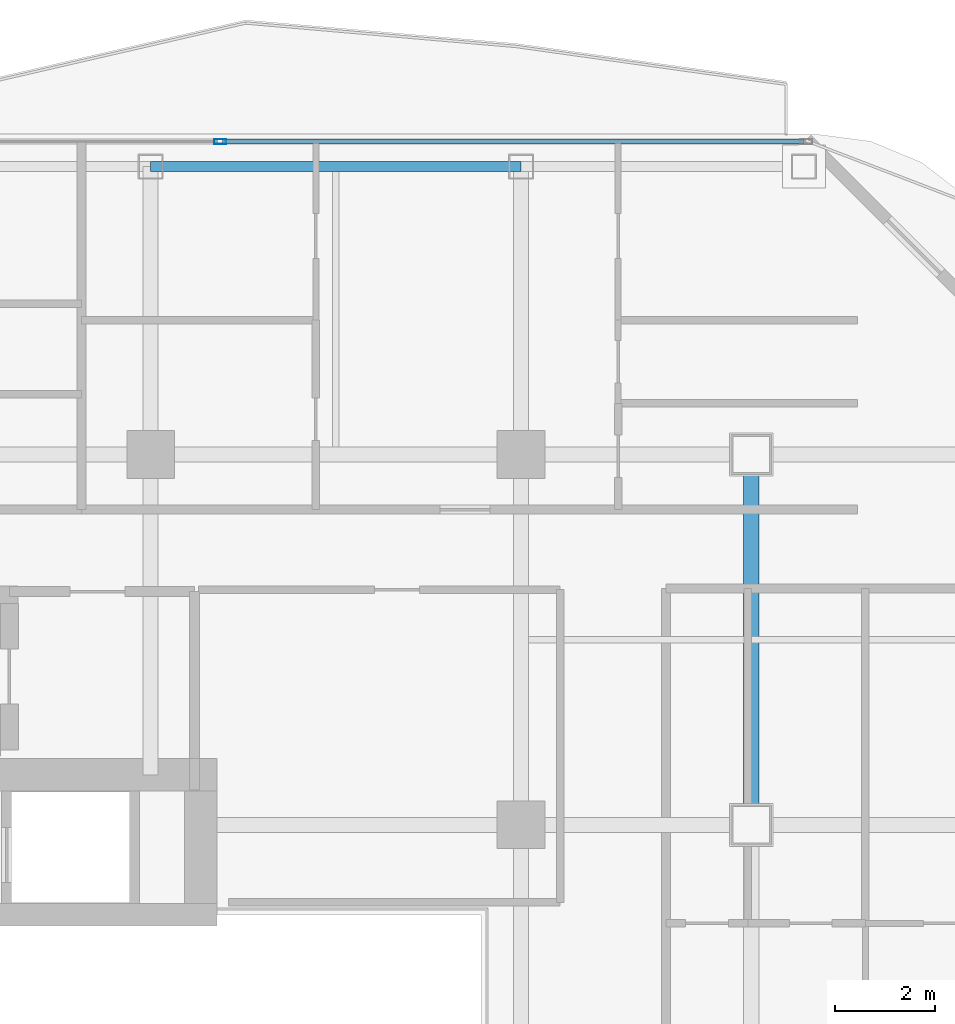
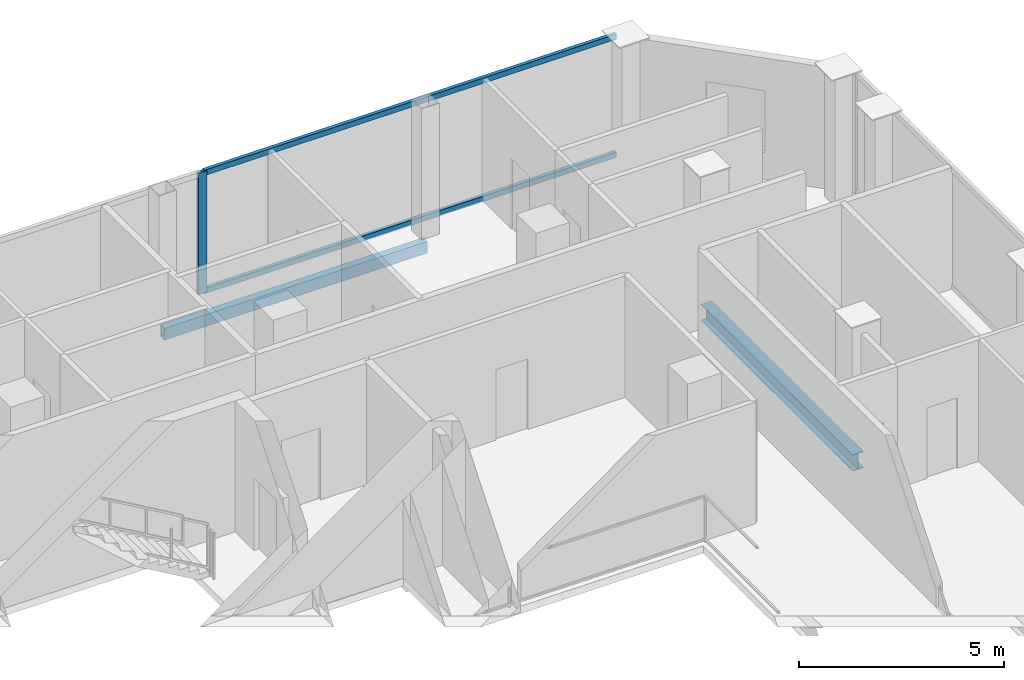
# One storey, part 13 of 22: 3 members, 2 beams, 1 element without a shape of its own.
"""IFC4 building model written with IfcOpenShell, lengths in metres."""

import ifcopenshell
import ifcopenshell.guid

model = None  # the IFC model being written
_history = None  # IfcOwnerHistory: only IFC2X3 demands one
_inside = {}  # id of a spatial element -> (the spatial element, [elements in it])
_under = {}  # id of a project, library or spatial element -> (it, [spatial elements below it])
_declared = {}  # id of a project -> (the project, [libraries it declares])
_typed = {}  # id of a type object -> (the type object, [elements of that type])
_made_of = {}  # id of a material, layer set ... -> (it, [elements and type objects made of it])


def new_model(schema):
    """Start an empty IFC model of exactly this schema.

    Asked for "IFC4X3", IfcOpenShell would pick the latest addendum, in which some entities
    have other attributes; the version numbers below select the first issue.
    IFC2X3 requires an IfcOwnerHistory on every rooted entity: one is made here for all.
    """
    global model, _history
    if schema == "IFC4X3":
        model = ifcopenshell.file(schema_version=(4, 3, 0, 0))
    else:
        model = ifcopenshell.file(schema=schema)
    _inside.clear()
    _under.clear()
    _declared.clear()
    _typed.clear()
    _made_of.clear()
    _history = None
    if model.schema == "IFC2X3":
        org = make("IfcOrganization", Name="unknown")
        user = make(
            "IfcPersonAndOrganization",
            ThePerson=make("IfcPerson", FamilyName="unknown"),
            TheOrganization=org,
        )
        app = make(
            "IfcApplication",
            ApplicationDeveloper=org,
            Version="unknown",
            ApplicationFullName="unknown",
            ApplicationIdentifier="unknown",
        )
        _history = make(
            "IfcOwnerHistory",
            OwningUser=user,
            OwningApplication=app,
            ChangeAction="ADDED",
            CreationDate=0,
        )
    return model


def make(cls, **values):
    """One entity of the class cls with the attributes given. An attribute that is None is left unset."""
    return model.create_entity(
        cls, **{name: value for name, value in values.items() if value is not None}
    )


def rooted(cls, **values):
    """An entity with a GlobalId (a new one), such as an element, a storey or a relation."""
    return make(cls, GlobalId=ifcopenshell.guid.new(), OwnerHistory=_history, **values)


def si_unit(unit_type, name, prefix=None):
    """IfcSIUnit, for example si_unit("LENGTHUNIT", "METRE", prefix="MILLI")."""
    return make("IfcSIUnit", UnitType=unit_type, Prefix=prefix, Name=name)


def assignment(units):
    """IfcUnitAssignment: the units of a project."""
    return None if units is None else make("IfcUnitAssignment", Units=units)


def point(xyz):
    """IfcCartesianPoint."""
    return None if xyz is None else make("IfcCartesianPoint", Coordinates=xyz)


def direction(xyz):
    """IfcDirection."""
    return None if xyz is None else make("IfcDirection", DirectionRatios=xyz)


def frame(location, z_axis=None, x_axis=None):
    """IfcAxis2Placement3D, a coordinate frame: its origin and axes. An axis left out is left unset."""
    return make(
        "IfcAxis2Placement3D",
        Location=point(location),
        Axis=direction(z_axis),
        RefDirection=direction(x_axis),
    )


def frame_2d(location, x_axis=None):
    """IfcAxis2Placement2D, a coordinate frame in the plane: its origin and x axis."""
    return make(
        "IfcAxis2Placement2D", Location=point(location), RefDirection=direction(x_axis)
    )


def origin():
    """The frame at (0, 0, 0) with its axes left unset."""
    return frame((0.0, 0.0, 0.0))


def origin_2d():
    """The frame at (0, 0) in the plane with its x axis left unset."""
    return frame_2d((0.0, 0.0))


def place(relative_to, where):
    """IfcLocalPlacement: puts the frame where relative to a parent placement (None: the world)."""
    return make(
        "IfcLocalPlacement", PlacementRelTo=relative_to, RelativePlacement=where
    )


def context(
    kind, dimensions, precision=None, world=None, true_north=None, identifier=None
):
    """IfcGeometricRepresentationContext, for example the 3D "Model" context."""
    return make(
        "IfcGeometricRepresentationContext",
        ContextIdentifier=identifier,
        ContextType=kind,
        CoordinateSpaceDimension=dimensions,
        Precision=precision,
        WorldCoordinateSystem=world,
        TrueNorth=true_north,
    )


def subcontext(parent, identifier, kind, view, scale=None):
    """IfcGeometricRepresentationSubContext, for example "Body" below "Model"."""
    return make(
        "IfcGeometricRepresentationSubContext",
        ContextIdentifier=identifier,
        ContextType=kind,
        ParentContext=parent,
        TargetScale=scale,
        TargetView=view,
    )


def project(units=None, contexts=None):
    """IfcProject with its units and contexts."""
    return rooted(
        "IfcProject",
        Name="project",
        RepresentationContexts=contexts,
        UnitsInContext=assignment(units),
    )


def spatial(cls, under=None, at=None, **own):
    """A site, building, storey or space (cls), placed at a placement, below another one or the project."""
    s = rooted(cls, ObjectPlacement=at, **own)
    if under is not None:
        _under.setdefault(under.id(), (under, []))[1].append(s)
    return s


def profile(cls, at=None, kind="AREA", **sizes):
    """A parametric profile (cls). Its sizes go by their IFC names, for example OverallWidth=200.0."""
    return make(cls, ProfileType=kind, Position=at, **sizes)


def hollow_rectangle(**sizes):
    """IfcRectangleHollowProfileDef."""
    return profile("IfcRectangleHollowProfileDef", **sizes)


def i_section(**sizes):
    """IfcIShapeProfileDef."""
    return profile("IfcIShapeProfileDef", **sizes)


def extrude(swept, where, along, depth):
    """IfcExtrudedAreaSolid: the profile swept, set in the frame where, extruded along a direction by depth."""
    return make(
        "IfcExtrudedAreaSolid",
        SweptArea=swept,
        Position=where,
        ExtrudedDirection=direction(along),
        Depth=depth,
    )


def shape(context_of_items, identifier, shape_type, items):
    """IfcShapeRepresentation: the items that make up one representation, for example the "Body"."""
    return make(
        "IfcShapeRepresentation",
        ContextOfItems=context_of_items,
        RepresentationIdentifier=identifier,
        RepresentationType=shape_type,
        Items=items,
    )


def material(Name=None, Category=None):
    """IfcMaterial."""
    return make("IfcMaterial", Name=Name, Category=Category)


def layer(
    of_material, thickness, ventilated=None, Name=None, Category=None, Priority=None
):
    """IfcMaterialLayer: one layer of a wall or slab, of a material (None: an air gap)."""
    return make(
        "IfcMaterialLayer",
        Material=of_material,
        LayerThickness=thickness,
        IsVentilated=ventilated,
        Name=Name,
        Category=Category,
        Priority=Priority,
    )


def layer_set(layers, Name=None):
    """IfcMaterialLayerSet."""
    return make("IfcMaterialLayerSet", MaterialLayers=layers, LayerSetName=Name)


def material_profile(
    of_material, cross_section, Name=None, Category=None, Priority=None
):
    """IfcMaterialProfile: a cross section and its material."""
    return make(
        "IfcMaterialProfile",
        Name=Name,
        Material=of_material,
        Profile=cross_section,
        Priority=Priority,
        Category=Category,
    )


def profile_set(profiles, Name=None, composite=None):
    """IfcMaterialProfileSet."""
    return make(
        "IfcMaterialProfileSet",
        Name=Name,
        MaterialProfiles=profiles,
        CompositeProfile=composite,
    )


def made_of(thing, what):
    """Note that an element or type object is made of a material, layer set ...; save() writes the relation."""
    if what is not None:
        _made_of.setdefault(what.id(), (what, []))[1].append(thing)
    return thing


def type_object(cls, material=None, **own):
    """A type object (cls), such as IfcWallType, which elements share."""
    return made_of(rooted(cls, **own), material)


def element(
    cls,
    number,
    at=None,
    inside=None,
    cuts=None,
    type_object=None,
    material=None,
    context=None,
    identifier="Body",
    shape_type=None,
    held_by="IfcProductDefinitionShape",
    body=None,
    shapes=None,
    **own,
):
    """One element of the class cls, such as IfcWall. Its Tag is "e" and its number.

    at: its placement. inside: the storey or other place that contains it. cuts: it is an
    opening in that element (IfcRelVoidsElement). A single representation is given by context,
    identifier, shape_type and body (its items); several are given by shapes. held_by: the class
    of the entity that holds the representations. save() writes the other relations.
    """
    e = rooted(cls, Tag="e%d" % number, ObjectPlacement=at, **own)
    if body is not None:
        shapes = [shape(context, identifier, shape_type, body)]
    if shapes is not None:
        e.Representation = make(held_by, Representations=shapes)
    if inside is not None:
        _inside.setdefault(inside.id(), (inside, []))[1].append(e)
    if cuts is not None:
        rooted(
            "IfcRelVoidsElement", RelatingBuildingElement=cuts, RelatedOpeningElement=e
        )
    if type_object is not None:
        _typed.setdefault(type_object.id(), (type_object, []))[1].append(e)
    return made_of(e, material)


def aggregate(whole, parts):
    """IfcRelAggregates: a whole, such as a stair, and the parts it consists of."""
    return rooted("IfcRelAggregates", RelatingObject=whole, RelatedObjects=parts)


def save(model, path):
    """Write the relations noted so far, then the file.

    IfcRelAggregates (storeys below a building ...), IfcRelContainedInSpatialStructure (elements
    in a storey), IfcRelDefinesByType, IfcRelAssociatesMaterial and IfcRelDeclares: one each for
    every whole, place, type object, material and project.
    """
    for whole, parts in _under.values():
        aggregate(whole, parts)
    for where, things in _inside.values():
        rooted(
            "IfcRelContainedInSpatialStructure",
            RelatedElements=things,
            RelatingStructure=where,
        )
    for kind, things in _typed.values():
        rooted("IfcRelDefinesByType", RelatedObjects=things, RelatingType=kind)
    for what, things in _made_of.values():
        rooted("IfcRelAssociatesMaterial", RelatedObjects=things, RelatingMaterial=what)
    for by, libraries in _declared.values():
        rooted("IfcRelDeclares", RelatingContext=by, RelatedDefinitions=libraries)
    model.write(path)


model = new_model("IFC4")

# Units and contexts
model_context = context("Model", 3, precision=1e-05, world=origin(), true_north=direction((0.0, 1.0)))
body_context = subcontext(model_context, "Body", "Model", "MODEL_VIEW")
ifc_project = project(units=[si_unit("LENGTHUNIT", "METRE"), si_unit("AREAUNIT", "SQUARE_METRE"), si_unit("VOLUMEUNIT", "CUBIC_METRE"), si_unit("PLANEANGLEUNIT", "RADIAN"), si_unit("MASSUNIT", "GRAM", prefix="KILO")], contexts=[model_context])

# Site, building, storey
site_placement = place(None, origin())
site = spatial("IfcSite", under=ifc_project, at=site_placement, CompositionType="ELEMENT")
building_placement = place(site_placement, origin())
building = spatial("IfcBuilding", under=site, at=building_placement, Name="Khorvyn Point Tower", CompositionType="ELEMENT")
storey_placement = place(building_placement, frame((0.0, 0.0, 282.0)))
storey = spatial("IfcBuildingStorey", under=building, at=storey_placement, Name="L69", CompositionType="ELEMENT", Elevation=282.0)

# Curtain wall, members
ifc_material_1 = material(Name="Anodised aluminium 6063-T6 and laminated Low-E glass", Category="aluminium")
ifc_layer = layer(ifc_material_1, 0.18994140625)
ifc_layer_set = layer_set([ifc_layer], Name="Stick-Built High-Wind Curtain Wall CW-SYS-04")
curtain_wall_type = type_object("IfcCurtainWallType", Name="Stick-Built High-Wind Curtain Wall CW-SYS-04", PredefinedType="NOTDEFINED", material=ifc_layer_set)
curtain_wall_placement = place(storey_placement, origin())
curtain_wall = element("IfcCurtainWall", 1, at=curtain_wall_placement, inside=storey, type_object=curtain_wall_type, Name="Curtain Wall", PredefinedType="NOTDEFINED")
ifc_material_2 = material(Name="Anodised aluminium 6063-T6", Category="aluminium")
ifc_material_profile_1 = material_profile(ifc_material_2, hollow_rectangle(XDim=0.10009765625, YDim=0.239990234375, WallThickness=0.0048828125, at=origin_2d()))
ifc_profile_set_1 = profile_set([ifc_material_profile_1], Name="Anodised aluminium 6063-T6 ALU-MUL-100x240")
member_type_1 = type_object("IfcMemberType", Name="Anodised Aluminium 6063-T6 Mullion ALU-MUL-100x240", PredefinedType="MULLION", material=ifc_profile_set_1)
member_1_placement = place(storey_placement, frame((8.78857421875, 21.050048828125, 0.0), z_axis=(0.0, 0.0, 1.0), x_axis=(0.0, 1.0, 0.0)))
member_1 = element("IfcMember", 2, at=member_1_placement, type_object=member_type_1, Name="Transom", PredefinedType="MULLION", context=body_context, shape_type="SweptSolid", body=[
    extrude(hollow_rectangle(XDim=0.10009765625, YDim=0.239990234375, WallThickness=0.0048828125, at=origin_2d()), origin(), (0.0, 0.0, 1.0), 3.6201171875),
])
ifc_material_profile_2 = material_profile(ifc_material_2, hollow_rectangle(XDim=0.10009765625, YDim=0.159912109375, WallThickness=0.00439453125, at=origin_2d()))
ifc_profile_set_2 = profile_set([ifc_material_profile_2], Name="Anodised aluminium 6063-T6 ALU-TRN-100x160")
member_type_2 = type_object("IfcMemberType", Name="Anodised Aluminium 6063-T6 Transom ALU-TRN-100x160", PredefinedType="USERDEFINED", material=ifc_profile_set_2)
member_2_placement = place(storey_placement, frame((8.83837890625, 21.050048828125, 0.050048828125), z_axis=(1.0, 0.0, 0.0), x_axis=(0.0, 1.0, 0.0)))
member_2 = element("IfcMember", 3, at=member_2_placement, type_object=member_type_2, Name="Transom", ObjectType="TRANSOM", PredefinedType="USERDEFINED", context=body_context, shape_type="SweptSolid", body=[
    extrude(hollow_rectangle(XDim=0.10009765625, YDim=0.159912109375, WallThickness=0.00439453125, at=origin_2d()), origin(), (0.0, 0.0, 1.0), 11.611572265625),
])
member_3_placement = place(storey_placement, frame((8.83837890625, 21.050048828125, 3.570068359375), z_axis=(1.0, 0.0, 0.0), x_axis=(0.0, 1.0, 0.0)))
member_3 = element("IfcMember", 4, at=member_3_placement, type_object=member_type_2, Name="Transom", ObjectType="TRANSOM", PredefinedType="USERDEFINED", context=body_context, shape_type="SweptSolid", body=[
    extrude(hollow_rectangle(XDim=0.10009765625, YDim=0.159912109375, WallThickness=0.00439453125, at=origin_2d()), origin(), (0.0, 0.0, 1.0), 11.611572265625),
])
aggregate(curtain_wall, [member_1, member_2, member_3])

# Beams
ifc_material_3 = material(Name="Steel S355", Category="steel")
ifc_material_profile_3 = material_profile(ifc_material_3, i_section(OverallWidth=0.300048828125, OverallDepth=0.488037109375, WebThickness=0.010986328125, FlangeThickness=0.01806640625, at=origin_2d()))
ifc_profile_set_3 = profile_set([ifc_material_profile_3], Name="Steel S355 H488x300x11x18")
beam_type_1 = type_object("IfcBeamType", Name="Steel S355 Spandrel H488x300x11x18", PredefinedType="SPANDREL", material=ifc_profile_set_3)
beam_1_placement = place(storey_placement, frame((19.39990234375, 7.39990234375, -0.464111328125), z_axis=(0.0, 1.0, 0.0), x_axis=(-1.0, 0.0, 0.0)))
element("IfcBeam", 5, at=beam_1_placement, inside=storey, type_object=beam_type_1, Name="Beam", PredefinedType="SPANDREL", context=body_context, shape_type="SweptSolid", body=[
    extrude(i_section(OverallWidth=0.300048828125, OverallDepth=0.488037109375, WebThickness=0.010986328125, FlangeThickness=0.01806640625, at=origin_2d()), origin(), (0.0, 0.0, 1.0), 7.400146484375),
])
ifc_material_profile_4 = material_profile(ifc_material_3, hollow_rectangle(XDim=0.199951171875, YDim=0.35009765625, WallThickness=0.013916015625, at=origin_2d()))
ifc_profile_set_4 = profile_set([ifc_material_profile_4], Name="Steel S355 RHS350x200x14")
beam_type_2 = type_object("IfcBeamType", Name="Steel S355 Spandrel RHS350x200x14", PredefinedType="SPANDREL", material=ifc_profile_set_4)
beam_2_placement = place(storey_placement, frame((7.39990234375, 20.550048828125, -0.39501953125), z_axis=(1.0, 0.0, 0.0), x_axis=(0.0, 1.0, 0.0)))
element("IfcBeam", 6, at=beam_2_placement, inside=storey, type_object=beam_type_2, Name="Beam", PredefinedType="SPANDREL", context=body_context, shape_type="SweptSolid", body=[
    extrude(hollow_rectangle(XDim=0.199951171875, YDim=0.35009765625, WallThickness=0.013916015625, at=origin_2d()), origin(), (0.0, 0.0, 1.0), 7.400146484375),
])

save(model, "model.ifc")
